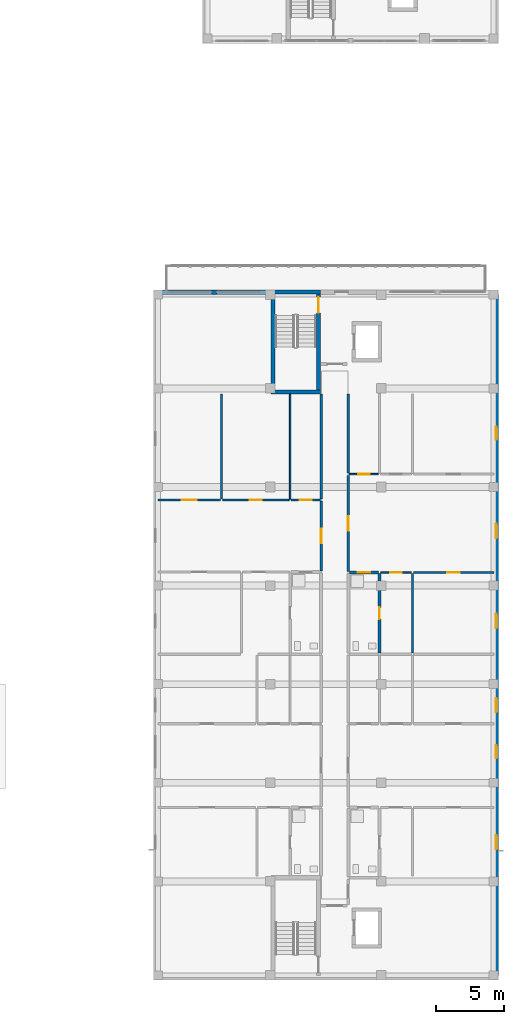
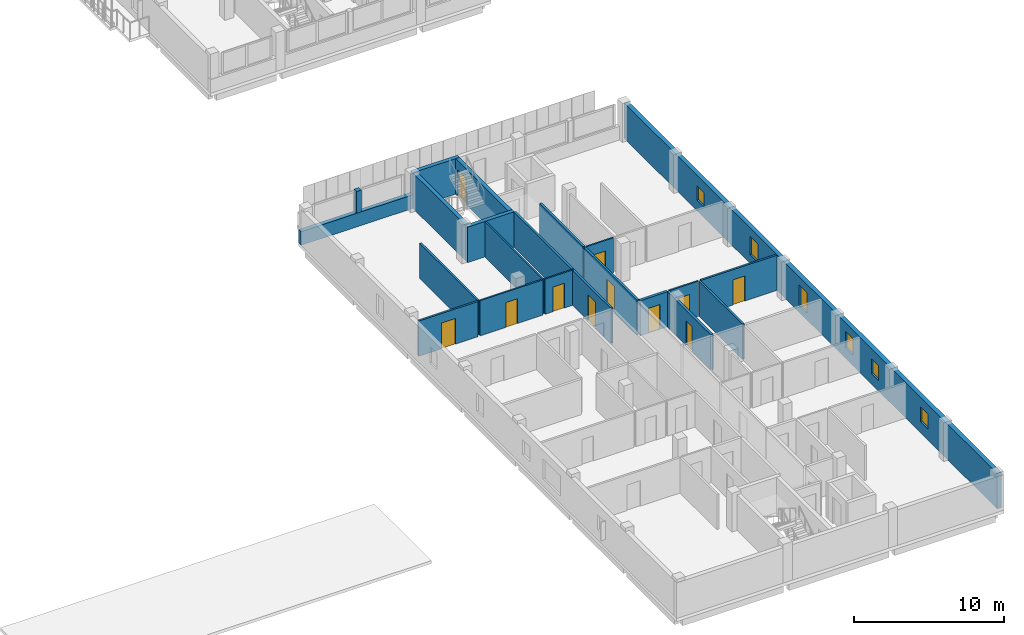
# One storey, part 32 of 51: 22 walls, 11 doors, 6 windows, 17 openings.
"""IFC4 building model written with IfcOpenShell, lengths in metres."""

from ifc_helpers import new_model, si_unit, derived_unit, direction, frame, frame_2d, origin, place, context, subcontext, project, spatial, rectangle, extrude, material, layer, layer_set, type_object, element, fill, save


model = new_model("IFC4")

# Units and contexts
model_context = context("Model", 3, precision=1e-05, world=origin(), true_north=direction((0.0, 1.0)))
body_context = subcontext(model_context, "Body", "Model", "MODEL_VIEW")
ifc_project = project(units=[si_unit("LENGTHUNIT", "METRE"), si_unit("AREAUNIT", "SQUARE_METRE"), si_unit("VOLUMEUNIT", "CUBIC_METRE"), si_unit("PLANEANGLEUNIT", "RADIAN"), si_unit("MASSUNIT", "GRAM", prefix="KILO"), derived_unit("THERMALTRANSMITTANCEUNIT", [(si_unit("MASSUNIT", "GRAM", prefix="KILO"), 1), (si_unit("TIMEUNIT", "SECOND"), -3), (si_unit("THERMODYNAMICTEMPERATUREUNIT", "KELVIN"), -1)])], contexts=[model_context])

# Site, building, storey
site_placement = place(None, origin())
site = spatial("IfcSite", under=ifc_project, at=site_placement, CompositionType="ELEMENT")
building_placement = place(site_placement, origin())
building = spatial("IfcBuilding", under=site, at=building_placement, Name="Ochrekiln Boulevard Commons", CompositionType="ELEMENT")
storey_placement = place(building_placement, frame((0.0, 0.0, 15.22509765625)))
storey = spatial("IfcBuildingStorey", under=building, at=storey_placement, Name="L04", CompositionType="ELEMENT", Elevation=15.22509765625)

# Wall, openings, windows
ifc_material_1 = material(Name="Desert ochre clinker brick masonry ASTM C216 Grade SW", Category="masonry")
ifc_layer_1 = layer(ifc_material_1, 0.330078125)
ifc_layer_set_1 = layer_set([ifc_layer_1], Name="Desert ochre clinker brick masonry ASTM C216 Grade SW")
wall_type_1 = type_object("IfcWallType", Name="WL-EXT-OCHRE-330", PredefinedType="SOLIDWALL", material=ifc_layer_set_1)
wall_1_placement = place(storey_placement, frame((172.635009765625, 0.330078125, 0.0), z_axis=(0.0, 0.0, 1.0), x_axis=(0.0, 1.0, 0.0)))
wall_1 = element("IfcWall", 1, at=wall_1_placement, inside=storey, type_object=wall_type_1, Name="Block C L04 E Exterior Wall", PredefinedType="SOLIDWALL", context=body_context, shape_type="SweptSolid", body=[
    extrude(rectangle(XDim=49.739990234375, YDim=0.330078125, at=frame_2d((24.8701171875, 0.0))), origin(), (0.0, 0.0, 1.0), 2.889892578125),
])
opening_1_placement = place(wall_1_placement, frame((15.844970703125, 0.0, 0.85009765625)))
opening_1 = element("IfcOpeningElement", 2, at=opening_1_placement, cuts=wall_1, Name="Opening W-01", PredefinedType="OPENING", context=body_context, shape_type="SweptSolid", body=[
    extrude(rectangle(XDim=0.949951171875, YDim=1.199951171875, at=frame_2d((0.47509765625, 0.60009765625))), frame((0.0, 0.175048828125, 0.0), z_axis=(0.0, -1.0, 0.0), x_axis=(1.0, 0.0, 0.0)), (0.0, 0.0, 1.0), 0.35009765625),
])
opening_2_placement = place(wall_1_placement, frame((9.200927734375, 0.0, 0.89990234375)))
opening_2 = element("IfcOpeningElement", 3, at=opening_2_placement, cuts=wall_1, Name="Opening W-06", PredefinedType="OPENING", context=body_context, shape_type="SweptSolid", body=[
    extrude(rectangle(XDim=1.050048828125, YDim=1.199951171875, at=frame_2d((0.52490234375, 0.60009765625))), frame((0.0, 0.175048828125, 0.0), z_axis=(0.0, -1.0, 0.0), x_axis=(1.0, 0.0, 0.0)), (0.0, 0.0, 1.0), 0.35009765625),
])
opening_3_placement = place(wall_1_placement, frame((19.205078125, 0.0, 0.85498046875)))
opening_3 = element("IfcOpeningElement", 4, at=opening_3_placement, cuts=wall_1, Name="Opening W-07", PredefinedType="OPENING", context=body_context, shape_type="SweptSolid", body=[
    extrude(rectangle(XDim=1.050048828125, YDim=1.35009765625, at=frame_2d((0.52490234375, 0.675048828125))), frame((0.0, 0.175048828125, 0.0), z_axis=(0.0, -1.0, 0.0), x_axis=(1.0, 0.0, 0.0)), (0.0, 0.0, 1.0), 0.35009765625),
])
opening_4_placement = place(wall_1_placement, frame((31.923095703125, 0.0, 0.705078125)))
opening_4 = element("IfcOpeningElement", 5, at=opening_4_placement, cuts=wall_1, Name="Opening W-08", PredefinedType="OPENING", context=body_context, shape_type="SweptSolid", body=[
    extrude(rectangle(XDim=1.050048828125, YDim=1.5, at=frame_2d((0.52490234375, 0.75))), frame((0.0, 0.175048828125, 0.0), z_axis=(0.0, -1.0, 0.0), x_axis=(1.0, 0.0, 0.0)), (0.0, 0.0, 1.0), 0.35009765625),
])
opening_5_placement = place(wall_1_placement, frame((25.35107421875, 0.0, 0.554931640625)))
opening_5 = element("IfcOpeningElement", 6, at=opening_5_placement, cuts=wall_1, Name="Opening W-09", PredefinedType="OPENING", context=body_context, shape_type="SweptSolid", body=[
    extrude(rectangle(XDim=1.050048828125, YDim=1.64990234375, at=frame_2d((0.52490234375, 0.824951171875))), frame((0.0, 0.175048828125, 0.0), z_axis=(0.0, -1.0, 0.0), x_axis=(1.0, 0.0, 0.0)), (0.0, 0.0, 1.0), 0.35009765625),
])
opening_6_placement = place(wall_1_placement, frame((39.10205078125, 0.0, 0.85009765625)))
opening_6 = element("IfcOpeningElement", 7, at=opening_6_placement, cuts=wall_1, Name="Opening W-01", PredefinedType="OPENING", context=body_context, shape_type="SweptSolid", body=[
    extrude(rectangle(XDim=0.949951171875, YDim=1.199951171875, at=frame_2d((0.47509765625, 0.60009765625))), frame((0.0, 0.175048828125, 0.0), z_axis=(0.0, -1.0, 0.0), x_axis=(1.0, 0.0, 0.0)), (0.0, 0.0, 1.0), 0.35009765625),
])
ifc_material_2 = material(Name="Thermally broken aluminium-clad oak frame", Category="aluminium")
window_type_1 = type_object("IfcWindowType", Name="WIN-EXT-01", PartitioningType="SINGLE_PANEL", PredefinedType="WINDOW", material=ifc_material_2)
window_1_placement = place(opening_1_placement, origin())
window_1 = element("IfcWindow", 8, at=window_1_placement, inside=storey, type_object=window_type_1, Name="Block C L04 Punched Masonry Window W-01", OverallHeight=1.199951171875, OverallWidth=0.949951171875, PartitioningType="SINGLE_PANEL", PredefinedType="WINDOW", context=body_context, shape_type="SweptSolid", body=[
    extrude(rectangle(XDim=0.949951171875, YDim=1.199951171875, at=frame_2d((0.47509765625, 0.60009765625))), frame((0.0, 0.030029296875, 0.0), z_axis=(0.0, -1.0, 0.0), x_axis=(1.0, 0.0, 0.0)), (0.0, 0.0, 1.0), 0.06005859375),
])
fill(opening_1, window_1)
window_2_placement = place(opening_6_placement, origin())
window_2 = element("IfcWindow", 9, at=window_2_placement, inside=storey, type_object=window_type_1, Name="Block C L04 Punched Masonry Window W-01", OverallHeight=1.199951171875, OverallWidth=0.949951171875, PartitioningType="SINGLE_PANEL", PredefinedType="WINDOW", context=body_context, shape_type="SweptSolid", body=[
    extrude(rectangle(XDim=0.949951171875, YDim=1.199951171875, at=frame_2d((0.47509765625, 0.60009765625))), frame((0.0, 0.030029296875, 0.0), z_axis=(0.0, -1.0, 0.0), x_axis=(1.0, 0.0, 0.0)), (0.0, 0.0, 1.0), 0.06005859375),
])
fill(opening_6, window_2)
window_type_2 = type_object("IfcWindowType", Name="WIN-EXT-06", PartitioningType="SINGLE_PANEL", PredefinedType="WINDOW", material=ifc_material_2)
window_3_placement = place(opening_2_placement, origin())
window_3 = element("IfcWindow", 10, at=window_3_placement, inside=storey, type_object=window_type_2, Name="Block C L04 Punched Masonry Window W-06", OverallHeight=1.199951171875, OverallWidth=1.050048828125, PartitioningType="SINGLE_PANEL", PredefinedType="WINDOW", context=body_context, shape_type="SweptSolid", body=[
    extrude(rectangle(XDim=1.050048828125, YDim=1.199951171875, at=frame_2d((0.52490234375, 0.60009765625))), frame((0.0, 0.030029296875, 0.0), z_axis=(0.0, -1.0, 0.0), x_axis=(1.0, 0.0, 0.0)), (0.0, 0.0, 1.0), 0.06005859375),
])
fill(opening_2, window_3)
window_type_3 = type_object("IfcWindowType", Name="WIN-EXT-07", PartitioningType="SINGLE_PANEL", PredefinedType="WINDOW", material=ifc_material_2)
window_4_placement = place(opening_3_placement, origin())
window_4 = element("IfcWindow", 11, at=window_4_placement, inside=storey, type_object=window_type_3, Name="Block C L04 Punched Masonry Window W-07", OverallHeight=1.35009765625, OverallWidth=1.050048828125, PartitioningType="SINGLE_PANEL", PredefinedType="WINDOW", context=body_context, shape_type="SweptSolid", body=[
    extrude(rectangle(XDim=1.050048828125, YDim=1.35009765625, at=frame_2d((0.52490234375, 0.675048828125))), frame((0.0, 0.030029296875, 0.0), z_axis=(0.0, -1.0, 0.0), x_axis=(1.0, 0.0, 0.0)), (0.0, 0.0, 1.0), 0.06005859375),
])
fill(opening_3, window_4)
window_type_4 = type_object("IfcWindowType", Name="WIN-EXT-08", PartitioningType="SINGLE_PANEL", PredefinedType="WINDOW", material=ifc_material_2)
window_5_placement = place(opening_4_placement, origin())
window_5 = element("IfcWindow", 12, at=window_5_placement, inside=storey, type_object=window_type_4, Name="Block C L04 Punched Masonry Window W-08", OverallHeight=1.5, OverallWidth=1.050048828125, PartitioningType="SINGLE_PANEL", PredefinedType="WINDOW", context=body_context, shape_type="SweptSolid", body=[
    extrude(rectangle(XDim=1.050048828125, YDim=1.5, at=frame_2d((0.52490234375, 0.75))), frame((0.0, 0.030029296875, 0.0), z_axis=(0.0, -1.0, 0.0), x_axis=(1.0, 0.0, 0.0)), (0.0, 0.0, 1.0), 0.06005859375),
])
fill(opening_4, window_5)
window_type_5 = type_object("IfcWindowType", Name="WIN-EXT-09", PartitioningType="SINGLE_PANEL", PredefinedType="WINDOW", material=ifc_material_2)
window_6_placement = place(opening_5_placement, origin())
window_6 = element("IfcWindow", 13, at=window_6_placement, inside=storey, type_object=window_type_5, Name="Block C L04 Punched Masonry Window W-09", OverallHeight=1.64990234375, OverallWidth=1.050048828125, PartitioningType="SINGLE_PANEL", PredefinedType="WINDOW", context=body_context, shape_type="SweptSolid", body=[
    extrude(rectangle(XDim=1.050048828125, YDim=1.64990234375, at=frame_2d((0.52490234375, 0.824951171875))), frame((0.0, 0.030029296875, 0.0), z_axis=(0.0, -1.0, 0.0), x_axis=(1.0, 0.0, 0.0)), (0.0, 0.0, 1.0), 0.06005859375),
])
fill(opening_5, window_6)

# Walls
wall_2_placement = place(storey_placement, frame((151.8701171875, 50.235107421875, 1.10986328125), z_axis=(0.0, 0.0, 1.0), x_axis=(1.0, 0.0, 0.0)))
element("IfcWall", 14, at=wall_2_placement, inside=storey, type_object=wall_type_1, Name="Block C L04 Courtyard Gable Mullion Pier", PredefinedType="SOLIDWALL", context=body_context, shape_type="SweptSolid", body=[
    extrude(rectangle(XDim=0.35986328125, YDim=0.330078125, at=frame_2d((0.179931640625, 0.0))), origin(), (0.0, 0.0, 1.0), 1.780029296875),
])
wall_3_placement = place(storey_placement, frame((147.60009765625, 50.235107421875, 0.0), z_axis=(0.0, 0.0, 1.0), x_axis=(1.0, 0.0, 0.0)))
element("IfcWall", 15, at=wall_3_placement, inside=storey, type_object=wall_type_1, Name="Block C L04 Courtyard Gable Sill Wall L", PredefinedType="SOLIDWALL", context=body_context, shape_type="SweptSolid", body=[
    extrude(rectangle(XDim=8.599853515625, YDim=0.330078125, at=frame_2d((4.2998046875, 0.0))), origin(), (0.0, 0.0, 1.0), 1.10986328125),
])

# Wall, opening, door
ifc_material_3 = material(Name="Moisture-resistant cementitious tile backer wall")
ifc_layer_2 = layer(ifc_material_3, 0.199951171875)
ifc_layer_set_2 = layer_set([ifc_layer_2], Name="Moisture-resistant cementitious tile backer wall")
wall_type_2 = type_object("IfcWallType", Name="WL-PLM-200", PredefinedType="PLUMBINGWALL", material=ifc_layer_set_2)
wall_4_placement = place(storey_placement, frame((161.923095703125, 29.7470703125, 0.0), z_axis=(0.0, 0.0, 1.0), x_axis=(1.0, 0.0, 0.0)))
wall_4 = element("IfcWall", 16, at=wall_4_placement, inside=storey, type_object=wall_type_2, Name="L04 Interior Wall W-PW200", PredefinedType="PLUMBINGWALL", context=body_context, shape_type="SweptSolid", body=[
    extrude(rectangle(XDim=2.10693359375, YDim=0.199951171875, at=frame_2d((1.053466796875, 0.0))), origin(), (0.0, 0.0, 1.0), 2.869873046875),
])
opening_7_placement = place(wall_4_placement, frame((0.612060546875, 0.0, 0.0)))
opening_7 = element("IfcOpeningElement", 17, at=opening_7_placement, cuts=wall_4, Name="Opening D-L04-641", PredefinedType="OPENING", context=body_context, shape_type="SweptSolid", body=[
    extrude(rectangle(XDim=0.889892578125, YDim=2.030029296875, at=frame_2d((0.44482421875, 1.01513671875))), frame((0.0, 0.10986328125, 0.0), z_axis=(0.0, -1.0, 0.0), x_axis=(1.0, 0.0, 0.0)), (0.0, 0.0, 1.0), 0.219970703125),
])
ifc_material_4 = material(Name="Solid core architectural oak door leaf")
door_type_1 = type_object("IfcDoorType", Name="DR-INT-BTH-089", OperationType="NOTDEFINED", PredefinedType="DOOR", material=ifc_material_4)
door_1_placement = place(opening_7_placement, frame((0.889892578125, 0.0, 0.0), z_axis=(0.0, 0.0, 1.0), x_axis=(-1.0, 0.0, 0.0)))
door_1 = element("IfcDoor", 18, at=door_1_placement, inside=storey, type_object=door_type_1, Name="L04 Interior Door to Apartment Bathroom", OperationType="SINGLE_SWING_LEFT", OverallHeight=2.030029296875, OverallWidth=0.889892578125, PredefinedType="DOOR", context=body_context, shape_type="SweptSolid", body=[
    extrude(rectangle(XDim=0.889892578125, YDim=2.030029296875, at=frame_2d((0.44482421875, 1.01513671875))), frame((0.0, 0.02490234375, 0.0), z_axis=(0.0, -1.0, 0.0), x_axis=(1.0, 0.0, 0.0)), (0.0, 0.0, 1.0), 0.050048828125),
])
fill(opening_7, door_1)

wall_5_placement = place(storey_placement, frame((164.110107421875, 23.882080078125, 0.0), z_axis=(0.0, 0.0, 1.0), x_axis=(0.0, 1.0, 0.0)))
wall_5 = element("IfcWall", 19, at=wall_5_placement, inside=storey, type_object=wall_type_2, Name="L04 Interior Wall W-PW200", PredefinedType="PLUMBINGWALL", context=body_context, shape_type="SweptSolid", body=[
    extrude(rectangle(XDim=5.804931640625, YDim=0.199951171875, at=frame_2d((2.90234375, 0.0))), origin(), (0.0, 0.0, 1.0), 2.869873046875),
])
opening_8_placement = place(wall_5_placement, frame((2.468017578125, 0.0, 0.0)))
opening_8 = element("IfcOpeningElement", 20, at=opening_8_placement, cuts=wall_5, Name="Opening D-L04-647", PredefinedType="OPENING", context=body_context, shape_type="SweptSolid", body=[
    extrude(rectangle(XDim=0.85009765625, YDim=2.010009765625, at=frame_2d((0.425048828125, 1.0048828125))), frame((0.0, 0.10986328125, 0.0), z_axis=(0.0, -1.0, 0.0), x_axis=(1.0, 0.0, 0.0)), (0.0, 0.0, 1.0), 0.219970703125),
])
door_type_2 = type_object("IfcDoorType", Name="DR-INT-KIT-085", OperationType="NOTDEFINED", PredefinedType="DOOR", material=ifc_material_4)
door_2_placement = place(opening_8_placement, origin())
door_2 = element("IfcDoor", 21, at=door_2_placement, inside=storey, type_object=door_type_2, Name="L04 Interior Door to Apartment Bathroom", OperationType="SINGLE_SWING_LEFT", OverallHeight=2.010009765625, OverallWidth=0.85009765625, PredefinedType="DOOR", context=body_context, shape_type="SweptSolid", body=[
    extrude(rectangle(XDim=0.85009765625, YDim=2.010009765625, at=frame_2d((0.425048828125, 1.0048828125))), frame((0.0, 0.02490234375, 0.0), z_axis=(0.0, -1.0, 0.0), x_axis=(1.0, 0.0, 0.0)), (0.0, 0.0, 1.0), 0.050048828125),
])
fill(opening_8, door_2)

ifc_material_5 = material(Name="Fire-rated Type X gypsum board on steel studs", Category="steel")
ifc_layer_3 = layer(ifc_material_5, 0.1650390625)
ifc_layer_set_3 = layer_set([ifc_layer_3], Name="Fire-rated Type X gypsum board on steel studs")
wall_type_3 = type_object("IfcWallType", Name="WL-PT-CORR-165", PredefinedType="PARTITIONING", material=ifc_layer_set_3)
wall_6_placement = place(storey_placement, frame((159.860107421875, 29.8720703125, 0.0), z_axis=(0.0, 0.0, 1.0), x_axis=(0.0, 1.0, 0.0)))
wall_6 = element("IfcWall", 22, at=wall_6_placement, inside=storey, type_object=wall_type_3, Name="L04 Interior Wall W-PC165", PredefinedType="PARTITIONING", context=body_context, shape_type="SweptSolid", body=[
    extrude(rectangle(XDim=5.097900390625, YDim=0.1650390625, at=frame_2d((2.548828125, 0.0))), origin(), (0.0, 0.0, 1.0), 2.869873046875),
])
opening_9_placement = place(wall_6_placement, frame((2.02392578125, 0.0, 0.0)))
opening_9 = element("IfcOpeningElement", 23, at=opening_9_placement, cuts=wall_6, Name="Opening D-L04-617", PredefinedType="OPENING", context=body_context, shape_type="SweptSolid", body=[
    extrude(rectangle(XDim=1.050048828125, YDim=2.1298828125, at=frame_2d((0.52490234375, 1.06494140625))), frame((0.0, 0.092529296875, 0.0), z_axis=(0.0, -1.0, 0.0), x_axis=(1.0, 0.0, 0.0)), (0.0, 0.0, 1.0), 0.18505859375),
])
door_type_3 = type_object("IfcDoorType", Name="DR-INT-APT-105", OperationType="NOTDEFINED", PredefinedType="DOOR", material=ifc_material_4)
door_3_placement = place(opening_9_placement, origin())
door_3 = element("IfcDoor", 24, at=door_3_placement, inside=storey, type_object=door_type_3, Name="L04 Interior Door to Two-Bedroom Apartment Living Room", OperationType="SINGLE_SWING_LEFT", OverallHeight=2.1298828125, OverallWidth=1.050048828125, PredefinedType="DOOR", context=body_context, shape_type="SweptSolid", body=[
    extrude(rectangle(XDim=1.050048828125, YDim=2.1298828125, at=frame_2d((0.52490234375, 1.06494140625))), frame((0.0, 0.02490234375, 0.0), z_axis=(0.0, -1.0, 0.0), x_axis=(1.0, 0.0, 0.0)), (0.0, 0.0, 1.0), 0.050048828125),
])
fill(opening_9, door_3)

# Wall
wall_7_placement = place(storey_placement, frame((159.860107421875, 35.1298828125, 0.0), z_axis=(0.0, 0.0, 1.0), x_axis=(0.0, 1.0, 0.0)))
element("IfcWall", 25, at=wall_7_placement, inside=storey, type_object=wall_type_3, Name="L04 Interior Wall W-PC165", PredefinedType="PARTITIONING", context=body_context, shape_type="SweptSolid", body=[
    extrude(rectangle(XDim=7.670166015625, YDim=0.1650390625, at=frame_2d((3.8349609375, 0.0))), origin(), (0.0, 0.0, 1.0), 2.869873046875),
])

# Wall, opening, door
wall_8_placement = place(storey_placement, frame((161.840087890625, 29.826904296875, 0.0), z_axis=(0.0, 0.0, 1.0), x_axis=(0.0, 1.0, 0.0)))
wall_8 = element("IfcWall", 26, at=wall_8_placement, inside=storey, type_object=wall_type_3, Name="L04 Interior Wall W-PC165", PredefinedType="PARTITIONING", context=body_context, shape_type="SweptSolid", body=[
    extrude(rectangle(XDim=7.028076171875, YDim=0.1650390625, at=frame_2d((3.51416015625, 0.0))), origin(), (0.0, 0.0, 1.0), 2.869873046875),
])
opening_10_placement = place(wall_8_placement, frame((2.989013671875, 0.0, 0.0)))
opening_10 = element("IfcOpeningElement", 27, at=opening_10_placement, cuts=wall_8, Name="Opening D-L04-619", PredefinedType="OPENING", context=body_context, shape_type="SweptSolid", body=[
    extrude(rectangle(XDim=1.050048828125, YDim=2.1298828125, at=frame_2d((0.52490234375, 1.06494140625))), frame((0.0, 0.092529296875, 0.0), z_axis=(0.0, -1.0, 0.0), x_axis=(1.0, 0.0, 0.0)), (0.0, 0.0, 1.0), 0.18505859375),
])
door_4_placement = place(opening_10_placement, frame((1.050048828125, 0.0, 0.0), z_axis=(0.0, 0.0, 1.0), x_axis=(-1.0, 0.0, 0.0)))
door_4 = element("IfcDoor", 28, at=door_4_placement, inside=storey, type_object=door_type_3, Name="L04 Interior Door to Two-Bedroom Apartment Living Room", OperationType="SINGLE_SWING_LEFT", OverallHeight=2.1298828125, OverallWidth=1.050048828125, PredefinedType="DOOR", context=body_context, shape_type="SweptSolid", body=[
    extrude(rectangle(XDim=1.050048828125, YDim=2.1298828125, at=frame_2d((0.52490234375, 1.06494140625))), frame((0.0, 0.02490234375, 0.0), z_axis=(0.0, -1.0, 0.0), x_axis=(1.0, 0.0, 0.0)), (0.0, 0.0, 1.0), 0.050048828125),
])
fill(opening_10, door_4)

# Wall
wall_9_placement = place(storey_placement, frame((161.840087890625, 37.014892578125, 0.0), z_axis=(0.0, 0.0, 1.0), x_axis=(0.0, 1.0, 0.0)))
element("IfcWall", 29, at=wall_9_placement, inside=storey, type_object=wall_type_3, Name="L04 Interior Wall W-PC165", PredefinedType="PARTITIONING", context=body_context, shape_type="SweptSolid", body=[
    extrude(rectangle(XDim=5.78515625, YDim=0.1650390625, at=frame_2d((2.892578125, 0.0))), origin(), (0.0, 0.0, 1.0), 2.869873046875),
])

# Wall, opening, door
ifc_layer_4 = layer(ifc_material_5, 0.1201171875)
ifc_layer_set_4 = layer_set([ifc_layer_4], Name="Fire-rated Type X gypsum board on steel studs")
wall_type_4 = type_object("IfcWallType", Name="WL-PT-LGT-120", PredefinedType="PARTITIONING", material=ifc_layer_set_4)
wall_10_placement = place(storey_placement, frame((157.669921875, 35.050048828125, 0.0), z_axis=(0.0, 0.0, 1.0), x_axis=(1.0, 0.0, 0.0)))
wall_10 = element("IfcWall", 30, at=wall_10_placement, inside=storey, type_object=wall_type_4, Name="L04 Interior Wall W-PL120", PredefinedType="PARTITIONING", context=body_context, shape_type="SweptSolid", body=[
    extrude(rectangle(XDim=2.108154296875, YDim=0.1201171875, at=frame_2d((1.05419921875, 0.0))), origin(), (0.0, 0.0, 1.0), 2.869873046875),
])
opening_11_placement = place(wall_10_placement, frame((0.610107421875, 0.0, 0.0)))
opening_11 = element("IfcOpeningElement", 31, at=opening_11_placement, cuts=wall_10, Name="Opening D-L04-628", PredefinedType="OPENING", context=body_context, shape_type="SweptSolid", body=[
    extrude(rectangle(XDim=0.8798828125, YDim=2.02001953125, at=frame_2d((0.43994140625, 1.010009765625))), frame((0.0, 0.070068359375, 0.0), z_axis=(0.0, -1.0, 0.0), x_axis=(1.0, 0.0, 0.0)), (0.0, 0.0, 1.0), 0.14013671875),
])
door_type_4 = type_object("IfcDoorType", Name="DR-INT-KIT-088", OperationType="NOTDEFINED", PredefinedType="DOOR", material=ifc_material_4)
door_5_placement = place(opening_11_placement, origin())
door_5 = element("IfcDoor", 32, at=door_5_placement, inside=storey, type_object=door_type_4, Name="L04 Interior Door to Apartment Kitchen", OperationType="SINGLE_SWING_RIGHT", OverallHeight=2.02001953125, OverallWidth=0.8798828125, PredefinedType="DOOR", context=body_context, shape_type="SweptSolid", body=[
    extrude(rectangle(XDim=0.8798828125, YDim=2.02001953125, at=frame_2d((0.43994140625, 1.010009765625))), frame((0.0, 0.02490234375, 0.0), z_axis=(0.0, -1.0, 0.0), x_axis=(1.0, 0.0, 0.0)), (0.0, 0.0, 1.0), 0.050048828125),
])
fill(opening_11, door_5)

wall_11_placement = place(storey_placement, frame((152.673095703125, 35.050048828125, 0.0), z_axis=(0.0, 0.0, 1.0), x_axis=(1.0, 0.0, 0.0)))
wall_11 = element("IfcWall", 33, at=wall_11_placement, inside=storey, type_object=wall_type_4, Name="L04 Interior Wall W-PL120", PredefinedType="PARTITIONING", context=body_context, shape_type="SweptSolid", body=[
    extrude(rectangle(XDim=4.8369140625, YDim=0.1201171875, at=frame_2d((2.41845703125, 0.0))), origin(), (0.0, 0.0, 1.0), 2.869873046875),
])
opening_12_placement = place(wall_11_placement, frame((1.97802734375, 0.0, 0.0)))
opening_12 = element("IfcOpeningElement", 34, at=opening_12_placement, cuts=wall_11, Name="Opening D-L04-632", PredefinedType="OPENING", context=body_context, shape_type="SweptSolid", body=[
    extrude(rectangle(XDim=0.8798828125, YDim=2.02001953125, at=frame_2d((0.43994140625, 1.010009765625))), frame((0.0, 0.070068359375, 0.0), z_axis=(0.0, -1.0, 0.0), x_axis=(1.0, 0.0, 0.0)), (0.0, 0.0, 1.0), 0.14013671875),
])
door_6_placement = place(opening_12_placement, origin())
door_6 = element("IfcDoor", 35, at=door_6_placement, inside=storey, type_object=door_type_4, Name="L04 Interior Door to Apartment Walk-In Wardrobe", OperationType="SINGLE_SWING_RIGHT", OverallHeight=2.02001953125, OverallWidth=0.8798828125, PredefinedType="DOOR", context=body_context, shape_type="SweptSolid", body=[
    extrude(rectangle(XDim=0.8798828125, YDim=2.02001953125, at=frame_2d((0.43994140625, 1.010009765625))), frame((0.0, 0.02490234375, 0.0), z_axis=(0.0, -1.0, 0.0), x_axis=(1.0, 0.0, 0.0)), (0.0, 0.0, 1.0), 0.050048828125),
])
fill(opening_12, door_6)

# Wall
wall_12_placement = place(storey_placement, frame((157.590087890625, 35.110107421875, 0.0), z_axis=(0.0, 0.0, 1.0), x_axis=(0.0, 1.0, 0.0)))
element("IfcWall", 36, at=wall_12_placement, inside=storey, type_object=wall_type_4, Name="L04 Interior Wall W-PL120", PredefinedType="PARTITIONING", context=body_context, shape_type="SweptSolid", body=[
    extrude(rectangle(XDim=7.68994140625, YDim=0.1201171875, at=frame_2d((3.844970703125, 0.0))), origin(), (0.0, 0.0, 1.0), 2.869873046875),
])

# Wall, opening, door
wall_13_placement = place(storey_placement, frame((161.923095703125, 36.93505859375, 0.0), z_axis=(0.0, 0.0, 1.0), x_axis=(1.0, 0.0, 0.0)))
wall_13 = element("IfcWall", 37, at=wall_13_placement, inside=storey, type_object=wall_type_4, Name="L04 Interior Wall W-PL120", PredefinedType="PARTITIONING", context=body_context, shape_type="SweptSolid", body=[
    extrude(rectangle(XDim=2.10693359375, YDim=0.1201171875, at=frame_2d((1.053466796875, 0.0))), origin(), (0.0, 0.0, 1.0), 2.869873046875),
])
opening_13_placement = place(wall_13_placement, frame((0.632080078125, 0.0, 0.0)))
opening_13 = element("IfcOpeningElement", 38, at=opening_13_placement, cuts=wall_13, Name="Opening D-L04-642", PredefinedType="OPENING", context=body_context, shape_type="SweptSolid", body=[
    extrude(rectangle(XDim=0.85009765625, YDim=2.010009765625, at=frame_2d((0.425048828125, 1.0048828125))), frame((0.0, 0.070068359375, 0.0), z_axis=(0.0, -1.0, 0.0), x_axis=(1.0, 0.0, 0.0)), (0.0, 0.0, 1.0), 0.14013671875),
])
door_7_placement = place(opening_13_placement, origin())
door_7 = element("IfcDoor", 39, at=door_7_placement, inside=storey, type_object=door_type_2, Name="L04 Interior Door to Apartment Kitchen", OperationType="SINGLE_SWING_RIGHT", OverallHeight=2.010009765625, OverallWidth=0.85009765625, PredefinedType="DOOR", context=body_context, shape_type="SweptSolid", body=[
    extrude(rectangle(XDim=0.85009765625, YDim=2.010009765625, at=frame_2d((0.425048828125, 1.0048828125))), frame((0.0, 0.02490234375, 0.0), z_axis=(0.0, -1.0, 0.0), x_axis=(1.0, 0.0, 0.0)), (0.0, 0.0, 1.0), 0.050048828125),
])
fill(opening_13, door_7)

wall_14_placement = place(storey_placement, frame((164.18994140625, 29.7470703125, 0.0), z_axis=(0.0, 0.0, 1.0), x_axis=(1.0, 0.0, 0.0)))
wall_14 = element("IfcWall", 40, at=wall_14_placement, inside=storey, type_object=wall_type_4, Name="L04 Interior Wall W-PL120", PredefinedType="PARTITIONING", context=body_context, shape_type="SweptSolid", body=[
    extrude(rectangle(XDim=2.25, YDim=0.1201171875, at=frame_2d((1.125, 0.0))), origin(), (0.0, 0.0, 1.0), 2.869873046875),
])
opening_14_placement = place(wall_14_placement, frame((0.699951171875, 0.0, 0.0)))
opening_14 = element("IfcOpeningElement", 41, at=opening_14_placement, cuts=wall_14, Name="Opening D-L04-644", PredefinedType="OPENING", context=body_context, shape_type="SweptSolid", body=[
    extrude(rectangle(XDim=0.85009765625, YDim=2.010009765625, at=frame_2d((0.425048828125, 1.0048828125))), frame((0.0, 0.070068359375, 0.0), z_axis=(0.0, -1.0, 0.0), x_axis=(1.0, 0.0, 0.0)), (0.0, 0.0, 1.0), 0.14013671875),
])
door_8_placement = place(opening_14_placement, frame((0.85009765625, 0.0, 0.0), z_axis=(0.0, 0.0, 1.0), x_axis=(-1.0, 0.0, 0.0)))
door_8 = element("IfcDoor", 42, at=door_8_placement, inside=storey, type_object=door_type_2, Name="L04 Interior Door to Apartment Walk-In Wardrobe", OperationType="SINGLE_SWING_RIGHT", OverallHeight=2.010009765625, OverallWidth=0.85009765625, PredefinedType="DOOR", context=body_context, shape_type="SweptSolid", body=[
    extrude(rectangle(XDim=0.85009765625, YDim=2.010009765625, at=frame_2d((0.425048828125, 1.0048828125))), frame((0.0, 0.02490234375, 0.0), z_axis=(0.0, -1.0, 0.0), x_axis=(1.0, 0.0, 0.0)), (0.0, 0.0, 1.0), 0.050048828125),
])
fill(opening_14, door_8)

ifc_layer_5 = layer(ifc_material_5, 0.14990234375)
ifc_layer_set_5 = layer_set([ifc_layer_5], Name="Fire-rated Type X gypsum board on steel studs")
wall_type_5 = type_object("IfcWallType", Name="WL-PT-STD-150", PredefinedType="PARTITIONING", material=ifc_layer_set_5)
wall_15_placement = place(storey_placement, frame((147.929931640625, 35.050048828125, 0.0), z_axis=(0.0, 0.0, 1.0), x_axis=(1.0, 0.0, 0.0)))
wall_15 = element("IfcWall", 43, at=wall_15_placement, inside=storey, type_object=wall_type_5, Name="L04 Interior Wall W-PS150", PredefinedType="PARTITIONING", context=body_context, shape_type="SweptSolid", body=[
    extrude(rectangle(XDim=4.5830078125, YDim=0.14990234375, at=frame_2d((2.29150390625, 0.0))), origin(), (0.0, 0.0, 1.0), 2.869873046875),
])
opening_15_placement = place(wall_15_placement, frame((1.760986328125, 0.0, 0.0)))
opening_15 = element("IfcOpeningElement", 44, at=opening_15_placement, cuts=wall_15, Name="Opening D-L04-631", PredefinedType="OPENING", context=body_context, shape_type="SweptSolid", body=[
    extrude(rectangle(XDim=1.080078125, YDim=2.10009765625, at=frame_2d((0.5400390625, 1.050048828125))), frame((0.0, 0.0849609375, 0.0), z_axis=(0.0, -1.0, 0.0), x_axis=(1.0, 0.0, 0.0)), (0.0, 0.0, 1.0), 0.169921875),
])
door_type_5 = type_object("IfcDoorType", Name="DR-INT-BED-108", OperationType="NOTDEFINED", PredefinedType="DOOR", material=ifc_material_4)
door_9_placement = place(opening_15_placement, origin())
door_9 = element("IfcDoor", 45, at=door_9_placement, inside=storey, type_object=door_type_5, Name="L04 Interior Door to Secondary Apartment Bedroom", OperationType="SINGLE_SWING_LEFT", OverallHeight=2.10009765625, OverallWidth=1.080078125, PredefinedType="DOOR", context=body_context, shape_type="SweptSolid", body=[
    extrude(rectangle(XDim=1.080078125, YDim=2.10009765625, at=frame_2d((0.5400390625, 1.050048828125))), frame((0.0, 0.02490234375, 0.0), z_axis=(0.0, -1.0, 0.0), x_axis=(1.0, 0.0, 0.0)), (0.0, 0.0, 1.0), 0.050048828125),
])
fill(opening_15, door_9)

# Wall
wall_16_placement = place(storey_placement, frame((152.593017578125, 35.125, 0.0), z_axis=(0.0, 0.0, 1.0), x_axis=(0.0, 1.0, 0.0)))
element("IfcWall", 46, at=wall_16_placement, inside=storey, type_object=wall_type_5, Name="L04 Interior Wall W-PS150", PredefinedType="PARTITIONING", context=body_context, shape_type="SweptSolid", body=[
    extrude(rectangle(XDim=7.675048828125, YDim=0.14990234375, at=frame_2d((3.83740234375, 0.0))), origin(), (0.0, 0.0, 1.0), 2.869873046875),
])

# Wall, opening, door
wall_17_placement = place(storey_placement, frame((166.60009765625, 29.7470703125, 0.0), z_axis=(0.0, 0.0, 1.0), x_axis=(1.0, 0.0, 0.0)))
wall_17 = element("IfcWall", 47, at=wall_17_placement, inside=storey, type_object=wall_type_5, Name="L04 Interior Wall W-PS150", PredefinedType="PARTITIONING", context=body_context, shape_type="SweptSolid", body=[
    extrude(rectangle(XDim=5.869873046875, YDim=0.14990234375, at=frame_2d((2.93505859375, 0.0))), origin(), (0.0, 0.0, 1.0), 2.869873046875),
])
opening_16_placement = place(wall_17_placement, frame((2.47509765625, 0.0, 0.0)))
opening_16 = element("IfcOpeningElement", 48, at=opening_16_placement, cuts=wall_17, Name="Opening D-L04-643", PredefinedType="OPENING", context=body_context, shape_type="SweptSolid", body=[
    extrude(rectangle(XDim=0.89990234375, YDim=2.0400390625, at=frame_2d((0.449951171875, 1.02001953125))), frame((0.0, 0.0849609375, 0.0), z_axis=(0.0, -1.0, 0.0), x_axis=(1.0, 0.0, 0.0)), (0.0, 0.0, 1.0), 0.169921875),
])
door_type_6 = type_object("IfcDoorType", Name="DR-INT-BED-090", OperationType="NOTDEFINED", PredefinedType="DOOR", material=ifc_material_4)
door_10_placement = place(opening_16_placement, frame((0.89990234375, 0.0, 0.0), z_axis=(0.0, 0.0, 1.0), x_axis=(-1.0, 0.0, 0.0)))
door_10 = element("IfcDoor", 49, at=door_10_placement, inside=storey, type_object=door_type_6, Name="L04 Interior Door to Primary Apartment Bedroom", OperationType="SINGLE_SWING_LEFT", OverallHeight=2.0400390625, OverallWidth=0.89990234375, PredefinedType="DOOR", context=body_context, shape_type="SweptSolid", body=[
    extrude(rectangle(XDim=0.89990234375, YDim=2.0400390625, at=frame_2d((0.449951171875, 1.02001953125))), frame((0.0, 0.02490234375, 0.0), z_axis=(0.0, -1.0, 0.0), x_axis=(1.0, 0.0, 0.0)), (0.0, 0.0, 1.0), 0.050048828125),
])
fill(opening_16, door_10)

# Walls
wall_18_placement = place(storey_placement, frame((166.52001953125, 23.882080078125, 0.0), z_axis=(0.0, 0.0, 1.0), x_axis=(0.0, 1.0, 0.0)))
element("IfcWall", 50, at=wall_18_placement, inside=storey, type_object=wall_type_5, Name="L04 Interior Wall W-PS150", PredefinedType="PARTITIONING", context=body_context, shape_type="SweptSolid", body=[
    extrude(rectangle(XDim=5.804931640625, YDim=0.14990234375, at=frame_2d((2.90234375, 0.0))), origin(), (0.0, 0.0, 1.0), 2.869873046875),
])
ifc_material_6 = material(Name="Concrete C40/50", Category="concrete")
ifc_layer_6 = layer(ifc_material_6, 0.300048828125)
ifc_layer_set_6 = layer_set([ifc_layer_6], Name="Concrete C40/50")
wall_type_6 = type_object("IfcWallType", Name="WL-SH-300", PredefinedType="SHEAR", material=ifc_layer_set_6)
for number, where, z_axis, x_axis, name in (
    (51, (156.199951171875, 42.929931640625, 0.0), (0.0, 0.0, 1.0), (1.0, 0.0, 0.0), "Stair ST-C2 L04 Core Shear Wall S"),
    (52, (156.199951171875, 50.22998046875, 0.0), (0.0, 0.0, 1.0), (1.0, 0.0, 0.0), "Stair ST-C2 L04 Core Shear Wall N"),
):
    element("IfcWall", number, at=place(storey_placement, frame(where, z_axis=z_axis, x_axis=x_axis)), inside=storey, type_object=wall_type_6, Name=name, PredefinedType="SHEAR", context=body_context, shape_type="SweptSolid", body=[
        extrude(rectangle(XDim=3.60009765625, YDim=0.300048828125, at=frame_2d((1.800048828125, 0.0))), origin(), (0.0, 0.0, 1.0), 2.889892578125),
    ])
wall_19_placement = place(storey_placement, frame((156.35009765625, 43.080078125, 0.0), z_axis=(0.0, 0.0, 1.0), x_axis=(0.0, 1.0, 0.0)))
element("IfcWall", 53, at=wall_19_placement, inside=storey, type_object=wall_type_6, Name="Stair ST-C2 L04 Core Shear Wall W", PredefinedType="SHEAR", context=body_context, shape_type="SweptSolid", body=[
    extrude(rectangle(XDim=7.0, YDim=0.300048828125, at=frame_2d((3.5, 0.0))), origin(), (0.0, 0.0, 1.0), 2.889892578125),
])

# Wall, opening, door
wall_20_placement = place(storey_placement, frame((159.64990234375, 43.080078125, 0.0), z_axis=(0.0, 0.0, 1.0), x_axis=(0.0, 1.0, 0.0)))
wall_20 = element("IfcWall", 54, at=wall_20_placement, inside=storey, type_object=wall_type_6, Name="Stair ST-C2 L04 Core Shear Wall E", PredefinedType="SHEAR", context=body_context, shape_type="SweptSolid", body=[
    extrude(rectangle(XDim=7.0, YDim=0.300048828125, at=frame_2d((3.5, 0.0))), origin(), (0.0, 0.0, 1.0), 2.889892578125),
])
opening_17_placement = place(wall_20_placement, frame((5.625, 0.0, 0.0)))
opening_17 = element("IfcOpeningElement", 55, at=opening_17_placement, cuts=wall_20, Name="Opening D-L04-ST-C2", PredefinedType="OPENING", context=body_context, shape_type="SweptSolid", body=[
    extrude(rectangle(XDim=1.14990234375, YDim=2.1201171875, at=frame_2d((0.574951171875, 1.06005859375))), frame((0.0, 0.159912109375, 0.0), z_axis=(0.0, -1.0, 0.0), x_axis=(1.0, 0.0, 0.0)), (0.0, 0.0, 1.0), 0.320068359375),
])
ifc_material_7 = material(Name="Hollow metal fire-rated steel door assembly", Category="steel")
door_type_7 = type_object("IfcDoorType", Name="DR-STAIR-90", OperationType="NOTDEFINED", PredefinedType="DOOR", material=ifc_material_7)
door_11_placement = place(opening_17_placement, origin())
door_11 = element("IfcDoor", 56, at=door_11_placement, inside=storey, type_object=door_type_7, Name="Enclosed Exit Stair ST-C2 L04 Rated Door", OperationType="SINGLE_SWING_RIGHT", OverallHeight=2.1201171875, OverallWidth=1.14990234375, PredefinedType="DOOR", context=body_context, shape_type="SweptSolid", body=[
    extrude(rectangle(XDim=1.14990234375, YDim=2.1201171875, at=frame_2d((0.574951171875, 1.06005859375))), frame((0.0, 0.02490234375, 0.0), z_axis=(0.0, -1.0, 0.0), x_axis=(1.0, 0.0, 0.0)), (0.0, 0.0, 1.0), 0.050048828125),
])
fill(opening_17, door_11)

save(model, "model.ifc")
